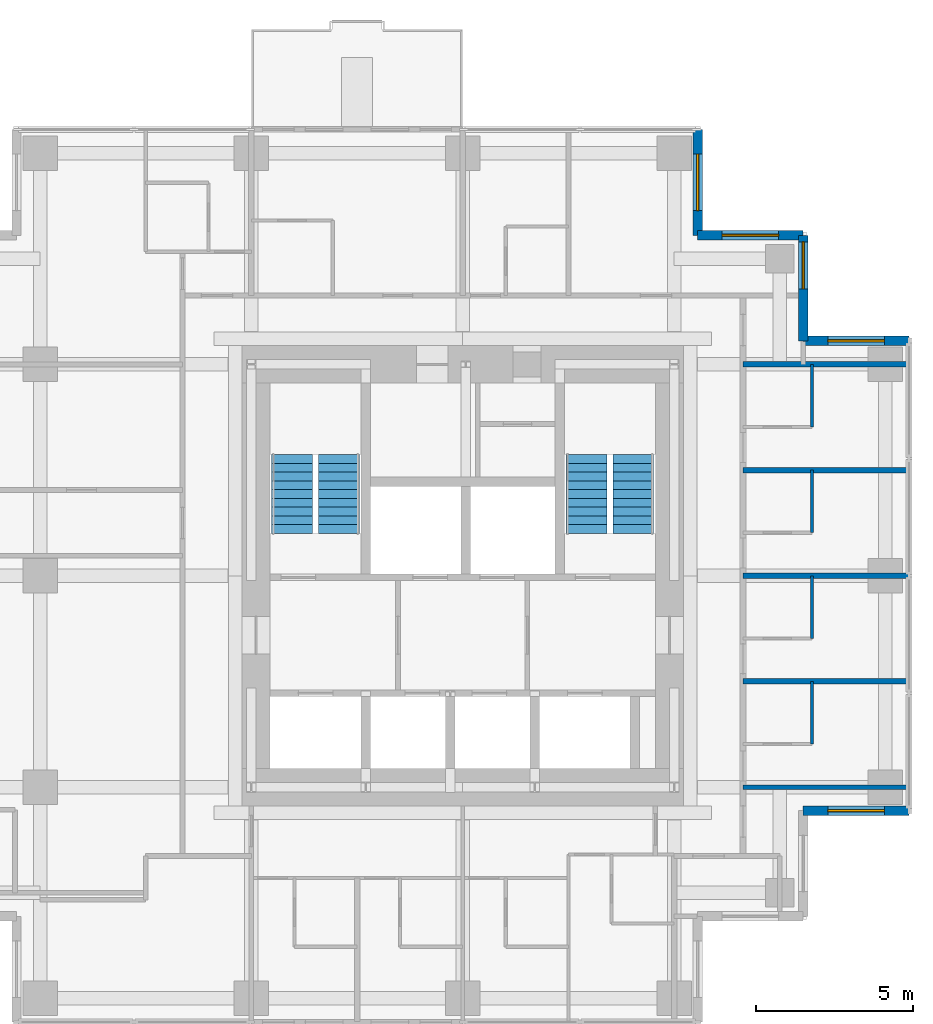
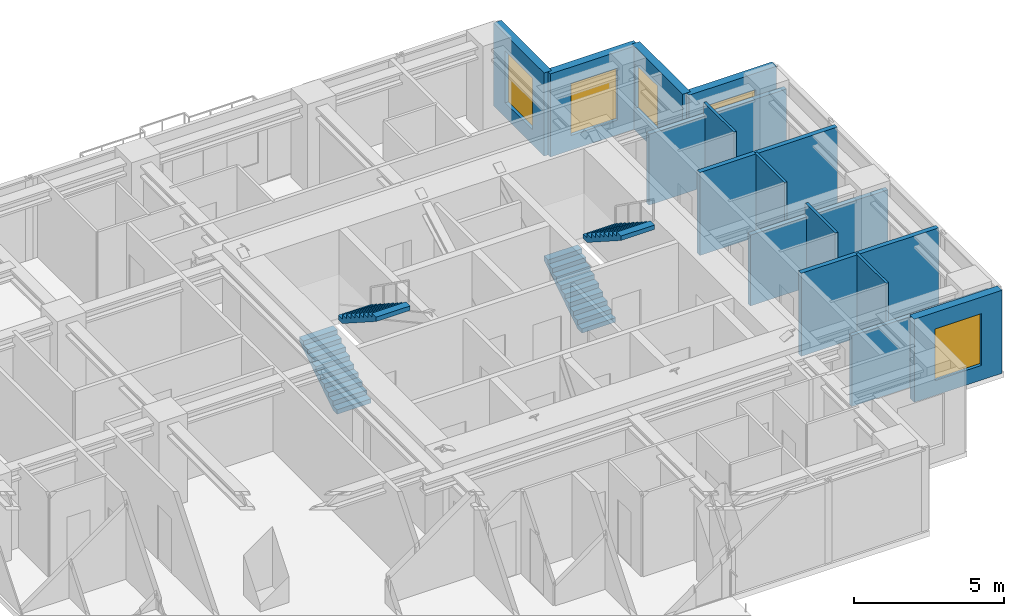
# One storey, part 7 of 8: 14 walls, 5 windows, 4 stair flights, 5 openings, 2 elements without a shape of their own.
"""IFC4 building model written with IfcOpenShell, lengths in metres."""

from ifc_helpers import new_model, si_unit, direction, frame, frame_2d, origin, place, context, subcontext, project, spatial, polyline, rectangle, outline, extrude, material, layer, layer_set, type_object, element, fill, aggregate, save


model = new_model("IFC4")

# Units and contexts
model_context = context("Model", 3, precision=1e-05, world=origin(), true_north=direction((0.0, 1.0)))
body_context = subcontext(model_context, "Body", "Model", "MODEL_VIEW")
ifc_project = project(units=[si_unit("LENGTHUNIT", "METRE"), si_unit("AREAUNIT", "SQUARE_METRE"), si_unit("VOLUMEUNIT", "CUBIC_METRE"), si_unit("PLANEANGLEUNIT", "RADIAN"), si_unit("MASSUNIT", "GRAM", prefix="KILO")], contexts=[model_context])

# Site, building, storey
site_placement = place(None, origin())
site = spatial("IfcSite", under=ifc_project, at=site_placement, CompositionType="ELEMENT")
building_placement = place(site_placement, origin())
building = spatial("IfcBuilding", under=site, at=building_placement, Name="Nyansa Garden Tower", CompositionType="ELEMENT")
storey_placement = place(building_placement, frame((0.0, 0.0, 225.89990234375)))
storey = spatial("IfcBuildingStorey", under=building, at=storey_placement, Name="L61", CompositionType="ELEMENT", Elevation=225.89990234375)

# Walls
ifc_material_1 = material(Name="Dense blockwork, plastered both sides, 55 dB", Category="masonry")
ifc_layer_1 = layer(ifc_material_1, 0.175048828125)
ifc_layer_set_1 = layer_set([ifc_layer_1], Name="Acoustic party wall PW175")
wall_type_1 = type_object("IfcWallType", Name="Acoustic party wall PW175", PredefinedType="PARTITIONING", material=ifc_layer_set_1)
wall_1_placement = place(storey_placement, frame((29.199951171875, 16.875, 0.0), z_axis=(0.0, 0.0, 1.0), x_axis=(1.0, 0.0, 0.0)))
element("IfcWall", 1, at=wall_1_placement, inside=storey, type_object=wall_type_1, Name="Party wall", PredefinedType="PARTITIONING", context=body_context, shape_type="SweptSolid", body=[
    extrude(rectangle(XDim=5.283935546875, YDim=0.175048828125, at=frame_2d((2.64208984375, 0.0))), origin(), (0.0, 0.0, 1.0), 3.375),
])
wall_2_placement = place(storey_placement, frame((29.199951171875, 20.25, 0.0), z_axis=(0.0, 0.0, 1.0), x_axis=(1.0, 0.0, 0.0)))
element("IfcWall", 2, at=wall_2_placement, inside=storey, type_object=wall_type_1, Name="Party wall", PredefinedType="PARTITIONING", context=body_context, shape_type="SweptSolid", body=[
    extrude(rectangle(XDim=5.283935546875, YDim=0.175048828125, at=frame_2d((2.64208984375, 0.0))), origin(), (0.0, 0.0, 1.0), 2.877197265625),
])
wall_3_placement = place(storey_placement, frame((29.199951171875, 23.625, 0.0), z_axis=(0.0, 0.0, 1.0), x_axis=(1.0, 0.0, 0.0)))
element("IfcWall", 3, at=wall_3_placement, inside=storey, type_object=wall_type_1, Name="Party wall", PredefinedType="PARTITIONING", context=body_context, shape_type="SweptSolid", body=[
    extrude(rectangle(XDim=5.283935546875, YDim=0.175048828125, at=frame_2d((2.64208984375, 0.0))), origin(), (0.0, 0.0, 1.0), 3.375),
])
wall_4_placement = place(storey_placement, frame((29.199951171875, 27.0, 0.0), z_axis=(0.0, 0.0, 1.0), x_axis=(1.0, 0.0, 0.0)))
element("IfcWall", 4, at=wall_4_placement, inside=storey, type_object=wall_type_1, Name="Party wall", PredefinedType="PARTITIONING", context=body_context, shape_type="SweptSolid", body=[
    extrude(rectangle(XDim=5.283935546875, YDim=0.175048828125, at=frame_2d((2.64208984375, 0.0))), origin(), (0.0, 0.0, 1.0), 2.877197265625),
])
ifc_material_2 = material(Name="Blockwork, plastered both sides", Category="masonry")
ifc_layer_2 = layer(ifc_material_2, 0.14990234375)
ifc_layer_set_2 = layer_set([ifc_layer_2], Name="Partition PW150")
wall_type_2 = type_object("IfcWallType", Name="Partition PW150", PredefinedType="PARTITIONING", material=ifc_layer_set_2)
wall_5_placement = place(storey_placement, frame((29.199951171875, 13.5, 0.0), z_axis=(0.0, 0.0, 1.0), x_axis=(1.0, 0.0, 0.0)))
element("IfcWall", 5, at=wall_5_placement, inside=storey, type_object=wall_type_2, Name="Partition", PredefinedType="PARTITIONING", context=body_context, shape_type="SweptSolid", body=[
    extrude(rectangle(XDim=5.283935546875, YDim=0.14990234375, at=frame_2d((2.64208984375, 0.0))), origin(), (0.0, 0.0, 1.0), 2.877197265625),
])

# Wall, opening, window
ifc_material_3 = material(Name="Turquoise glazed tile on concrete blockwork", Category="masonry")
ifc_layer_3 = layer(ifc_material_3, 0.300048828125)
ifc_layer_set_3 = layer_set([ifc_layer_3], Name="Tiled corner wall TW300")
wall_type_3 = type_object("IfcWallType", Name="Tiled corner wall TW300", PredefinedType="SOLIDWALL", material=ifc_layer_set_3)
wall_6_placement = place(storey_placement, frame((34.5, 27.75, 0.0), z_axis=(0.0, 0.0, 1.0), x_axis=(-1.0, 0.0, 0.0)))
wall_6 = element("IfcWall", 6, at=wall_6_placement, inside=storey, type_object=wall_type_3, Name="Tiled corner wall L61", PredefinedType="SOLIDWALL", context=body_context, shape_type="SweptSolid", body=[
    extrude(rectangle(XDim=3.375, YDim=0.300048828125, at=frame_2d((1.6875, 0.0))), origin(), (0.0, 0.0, 1.0), 3.375),
])
opening_1_placement = place(wall_6_placement, frame((0.78759765625, 0.0, 0.60009765625)))
opening_1 = element("IfcOpeningElement", 7, at=opening_1_placement, cuts=wall_6, Name="Opening W2", PredefinedType="OPENING", context=body_context, shape_type="SweptSolid", body=[
    extrude(rectangle(XDim=1.800048828125, YDim=2.10009765625, at=frame_2d((0.89990234375, 1.050048828125))), frame((0.0, 0.159912109375, 0.0), z_axis=(0.0, -1.0, 0.0), x_axis=(1.0, 0.0, 0.0)), (0.0, 0.0, 1.0), 0.320068359375),
])
ifc_material_4 = material(Name="Black aluminium frame, dark tinted double glazing", Category="aluminium")
window_type_1 = type_object("IfcWindowType", Name="Window W2 1800x2100", PartitioningType="SINGLE_PANEL", PredefinedType="WINDOW", material=ifc_material_4)
window_1_placement = place(opening_1_placement, origin())
window_1 = element("IfcWindow", 8, at=window_1_placement, inside=storey, type_object=window_type_1, Name="Corner window L61", OverallHeight=2.10009765625, OverallWidth=1.800048828125, PartitioningType="SINGLE_PANEL", PredefinedType="WINDOW", context=body_context, shape_type="SweptSolid", body=[
    extrude(rectangle(XDim=1.800048828125, YDim=2.10009765625, at=frame_2d((0.89990234375, 1.050048828125))), frame((0.0, 0.030029296875, 0.0), z_axis=(0.0, -1.0, 0.0), x_axis=(1.0, 0.0, 0.0)), (0.0, 0.0, 1.0), 0.06005859375),
])
fill(opening_1, window_1)

wall_7_placement = place(storey_placement, frame((31.125, 27.75, 0.0), z_axis=(0.0, 0.0, 1.0), x_axis=(0.0, 1.0, 0.0)))
wall_7 = element("IfcWall", 9, at=wall_7_placement, inside=storey, type_object=wall_type_3, Name="Tiled corner wall L61", PredefinedType="SOLIDWALL", context=body_context, shape_type="SweptSolid", body=[
    extrude(rectangle(XDim=3.375, YDim=0.300048828125, at=frame_2d((1.6875, 0.0))), origin(), (0.0, 0.0, 1.0), 3.375),
])
opening_2_placement = place(wall_7_placement, frame((1.66259765625, 0.0, 0.89990234375)))
opening_2 = element("IfcOpeningElement", 10, at=opening_2_placement, cuts=wall_7, Name="Opening W1", PredefinedType="OPENING", context=body_context, shape_type="SweptSolid", body=[
    extrude(rectangle(XDim=1.5, YDim=1.800048828125, at=frame_2d((0.75, 0.89990234375))), frame((0.0, 0.159912109375, 0.0), z_axis=(0.0, -1.0, 0.0), x_axis=(1.0, 0.0, 0.0)), (0.0, 0.0, 1.0), 0.320068359375),
])
ifc_material_5 = material(Name="Black aluminium frame, dark tinted double glazing", Category="aluminium")
window_type_2 = type_object("IfcWindowType", Name="Window W1 1500x1800", PartitioningType="SINGLE_PANEL", PredefinedType="WINDOW", material=ifc_material_5)
window_2_placement = place(opening_2_placement, origin())
window_2 = element("IfcWindow", 11, at=window_2_placement, inside=storey, type_object=window_type_2, Name="Corner window L61", OverallHeight=1.800048828125, OverallWidth=1.5, PartitioningType="SINGLE_PANEL", PredefinedType="WINDOW", context=body_context, shape_type="SweptSolid", body=[
    extrude(rectangle(XDim=1.5, YDim=1.800048828125, at=frame_2d((0.75, 0.89990234375))), frame((0.0, 0.030029296875, 0.0), z_axis=(0.0, -1.0, 0.0), x_axis=(1.0, 0.0, 0.0)), (0.0, 0.0, 1.0), 0.06005859375),
])
fill(opening_2, window_2)

wall_8_placement = place(storey_placement, frame((31.125, 31.125, 0.0), z_axis=(0.0, 0.0, 1.0), x_axis=(-1.0, 0.0, 0.0)))
wall_8 = element("IfcWall", 12, at=wall_8_placement, inside=storey, type_object=wall_type_3, Name="Tiled corner wall L61", PredefinedType="SOLIDWALL", context=body_context, shape_type="SweptSolid", body=[
    extrude(rectangle(XDim=3.375, YDim=0.300048828125, at=frame_2d((1.6875, 0.0))), origin(), (0.0, 0.0, 1.0), 3.375),
])
opening_3_placement = place(wall_8_placement, frame((0.78759765625, 0.0, 0.60009765625)))
opening_3 = element("IfcOpeningElement", 13, at=opening_3_placement, cuts=wall_8, Name="Opening W2", PredefinedType="OPENING", context=body_context, shape_type="SweptSolid", body=[
    extrude(rectangle(XDim=1.800048828125, YDim=2.10009765625, at=frame_2d((0.89990234375, 1.050048828125))), frame((0.0, 0.159912109375, 0.0), z_axis=(0.0, -1.0, 0.0), x_axis=(1.0, 0.0, 0.0)), (0.0, 0.0, 1.0), 0.320068359375),
])
window_3_placement = place(opening_3_placement, origin())
window_3 = element("IfcWindow", 14, at=window_3_placement, inside=storey, type_object=window_type_1, Name="Corner window L61", OverallHeight=2.10009765625, OverallWidth=1.800048828125, PartitioningType="SINGLE_PANEL", PredefinedType="WINDOW", context=body_context, shape_type="SweptSolid", body=[
    extrude(rectangle(XDim=1.800048828125, YDim=2.10009765625, at=frame_2d((0.89990234375, 1.050048828125))), frame((0.0, 0.030029296875, 0.0), z_axis=(0.0, -1.0, 0.0), x_axis=(1.0, 0.0, 0.0)), (0.0, 0.0, 1.0), 0.06005859375),
])
fill(opening_3, window_3)

wall_9_placement = place(storey_placement, frame((27.75, 31.125, 0.0), z_axis=(0.0, 0.0, 1.0), x_axis=(0.0, 1.0, 0.0)))
wall_9 = element("IfcWall", 15, at=wall_9_placement, inside=storey, type_object=wall_type_3, Name="Tiled corner wall L61", PredefinedType="SOLIDWALL", context=body_context, shape_type="SweptSolid", body=[
    extrude(rectangle(XDim=3.375, YDim=0.300048828125, at=frame_2d((1.6875, 0.0))), origin(), (0.0, 0.0, 1.0), 3.375),
])
opening_4_placement = place(wall_9_placement, frame((0.78759765625, 0.0, 0.60009765625)))
opening_4 = element("IfcOpeningElement", 16, at=opening_4_placement, cuts=wall_9, Name="Opening W2", PredefinedType="OPENING", context=body_context, shape_type="SweptSolid", body=[
    extrude(rectangle(XDim=1.800048828125, YDim=2.10009765625, at=frame_2d((0.89990234375, 1.050048828125))), frame((0.0, 0.159912109375, 0.0), z_axis=(0.0, -1.0, 0.0), x_axis=(1.0, 0.0, 0.0)), (0.0, 0.0, 1.0), 0.320068359375),
])
window_4_placement = place(opening_4_placement, origin())
window_4 = element("IfcWindow", 17, at=window_4_placement, inside=storey, type_object=window_type_1, Name="Corner window L61", OverallHeight=2.10009765625, OverallWidth=1.800048828125, PartitioningType="SINGLE_PANEL", PredefinedType="WINDOW", context=body_context, shape_type="SweptSolid", body=[
    extrude(rectangle(XDim=1.800048828125, YDim=2.10009765625, at=frame_2d((0.89990234375, 1.050048828125))), frame((0.0, 0.030029296875, 0.0), z_axis=(0.0, -1.0, 0.0), x_axis=(1.0, 0.0, 0.0)), (0.0, 0.0, 1.0), 0.06005859375),
])
fill(opening_4, window_4)

wall_10_placement = place(storey_placement, frame((31.125, 12.75, 0.0), z_axis=(0.0, 0.0, 1.0), x_axis=(1.0, 0.0, 0.0)))
wall_10 = element("IfcWall", 18, at=wall_10_placement, inside=storey, type_object=wall_type_3, Name="Tiled corner wall L61", PredefinedType="SOLIDWALL", context=body_context, shape_type="SweptSolid", body=[
    extrude(rectangle(XDim=3.375, YDim=0.300048828125, at=frame_2d((1.6875, 0.0))), origin(), (0.0, 0.0, 1.0), 3.375),
])
opening_5_placement = place(wall_10_placement, frame((0.78759765625, 0.0, 0.60009765625)))
opening_5 = element("IfcOpeningElement", 19, at=opening_5_placement, cuts=wall_10, Name="Opening W2", PredefinedType="OPENING", context=body_context, shape_type="SweptSolid", body=[
    extrude(rectangle(XDim=1.800048828125, YDim=2.10009765625, at=frame_2d((0.89990234375, 1.050048828125))), frame((0.0, 0.159912109375, 0.0), z_axis=(0.0, -1.0, 0.0), x_axis=(1.0, 0.0, 0.0)), (0.0, 0.0, 1.0), 0.320068359375),
])
window_5_placement = place(opening_5_placement, origin())
window_5 = element("IfcWindow", 20, at=window_5_placement, inside=storey, type_object=window_type_1, Name="Corner window L61", OverallHeight=2.10009765625, OverallWidth=1.800048828125, PartitioningType="SINGLE_PANEL", PredefinedType="WINDOW", context=body_context, shape_type="SweptSolid", body=[
    extrude(rectangle(XDim=1.800048828125, YDim=2.10009765625, at=frame_2d((0.89990234375, 1.050048828125))), frame((0.0, 0.030029296875, 0.0), z_axis=(0.0, -1.0, 0.0), x_axis=(1.0, 0.0, 0.0)), (0.0, 0.0, 1.0), 0.06005859375),
])
fill(opening_5, window_5)

# Walls
ifc_material_6 = material(Name="Moisture resistant board on steel studs, tiled", Category="steel")
ifc_layer_4 = layer(ifc_material_6, 0.10009765625)
ifc_layer_set_4 = layer_set([ifc_layer_4], Name="Wet wall PW100")
wall_type_4 = type_object("IfcWallType", Name="Wet wall PW100", PredefinedType="PARTITIONING", material=ifc_layer_set_4)
for number, where, z_axis, x_axis, name in (
    (21, (31.39990234375, 14.875, 0.0), (0.0, 0.0, 1.0), (0.0, 1.0, 0.0), "Wet wall"),
    (22, (31.39990234375, 18.25, 0.0), (0.0, 0.0, 1.0), (0.0, 1.0, 0.0), "Wet wall"),
    (23, (31.39990234375, 21.625, 0.0), (0.0, 0.0, 1.0), (0.0, 1.0, 0.0), "Wet wall"),
    (24, (31.39990234375, 25.0, 0.0), (0.0, 0.0, 1.0), (0.0, 1.0, 0.0), "Wet wall"),
):
    element("IfcWall", number, at=place(storey_placement, frame(where, z_axis=z_axis, x_axis=x_axis)), inside=storey, type_object=wall_type_4, Name=name, PredefinedType="PARTITIONING", context=body_context, shape_type="SweptSolid", body=[
        extrude(rectangle(XDim=2.0, YDim=0.10009765625, at=frame_2d((1.0, 0.0))), origin(), (0.0, 0.0, 1.0), 3.375),
    ])

# Stair, stair flights
ifc_material_7 = material(Name="Precast concrete C40/50", Category="concrete")
stair_type_1 = type_object("IfcStairType", Name="Stair S1 180x280", PredefinedType="HALF_TURN_STAIR", material=ifc_material_7)
stair_1_placement = place(storey_placement, origin())
stair_1 = element("IfcStair", 25, at=stair_1_placement, inside=storey, type_object=stair_type_1, Name="Stair S1 L61", PredefinedType="HALF_TURN_STAIR")
ifc_material_8 = material(Name="Precast concrete C40/50", Category="concrete")
stair_flight_type_1 = type_object("IfcStairFlightType", Name="Stair flight S1 180x280x10", PredefinedType="STRAIGHT", material=ifc_material_8)
stair_flight_1_placement = place(storey_placement, frame((14.800048828125, 21.60009765625, 0.0), z_axis=(0.0, 0.0, 1.0), x_axis=(0.0, 1.0, 0.0)))
stair_flight_1 = element("IfcStairFlight", 26, at=stair_flight_1_placement, type_object=stair_flight_type_1, Name="S1 flight 1", NumberOfRisers=10, NumberOfTreads=9, PredefinedType="STRAIGHT", RiserHeight=0.18, TreadLength=0.28, context=body_context, shape_type="SweptSolid", body=[
    extrude(outline(polyline([(0.0, 0.0), (0.0, 0.179931640625), (0.280029296875, 0.179931640625), (0.280029296875, 0.360107421875), (0.56005859375, 0.360107421875), (0.56005859375, 0.5400390625), (0.840087890625, 0.5400390625), (0.840087890625, 0.719970703125), (1.1201171875, 0.719970703125), (1.1201171875, 0.89990234375), (1.39990234375, 0.89990234375), (1.39990234375, 1.080078125), (1.679931640625, 1.080078125), (1.679931640625, 1.260009765625), (1.9599609375, 1.260009765625), (1.9599609375, 1.43994140625), (2.239990234375, 1.43994140625), (2.239990234375, 1.6201171875), (2.52001953125, 1.6201171875), (2.52001953125, 1.800048828125), (2.52001953125, 1.44189453125), (0.277099609375, 0.0), (0.0, 0.0)])), frame((0.0, 0.64990234375, 0.0), z_axis=(0.0, -1.0, 0.0), x_axis=(1.0, 0.0, 0.0)), (0.0, 0.0, 1.0), 1.300048828125),
])
stair_flight_2_placement = place(storey_placement, frame((16.300048828125, 24.1201171875, 1.800048828125), z_axis=(0.0, 0.0, 1.0), x_axis=(0.0, -1.0, 0.0)))
stair_flight_2 = element("IfcStairFlight", 27, at=stair_flight_2_placement, type_object=stair_flight_type_1, Name="S1 flight 2", NumberOfRisers=10, NumberOfTreads=9, PredefinedType="STRAIGHT", RiserHeight=0.18, TreadLength=0.28, context=body_context, shape_type="SweptSolid", body=[
    extrude(outline(polyline([(0.0, 0.0), (0.0, 0.179931640625), (0.280029296875, 0.179931640625), (0.280029296875, 0.360107421875), (0.56005859375, 0.360107421875), (0.56005859375, 0.5400390625), (0.840087890625, 0.5400390625), (0.840087890625, 0.719970703125), (1.1201171875, 0.719970703125), (1.1201171875, 0.89990234375), (1.39990234375, 0.89990234375), (1.39990234375, 1.080078125), (1.679931640625, 1.080078125), (1.679931640625, 1.260009765625), (1.9599609375, 1.260009765625), (1.9599609375, 1.43994140625), (2.239990234375, 1.43994140625), (2.239990234375, 1.6201171875), (2.52001953125, 1.6201171875), (2.52001953125, 1.800048828125), (2.52001953125, 1.44189453125), (0.277099609375, 0.0), (0.0, 0.0)])), frame((0.0, 0.64990234375, 0.0), z_axis=(0.0, -1.0, 0.0), x_axis=(1.0, 0.0, 0.0)), (0.0, 0.0, 1.0), 1.300048828125),
])
aggregate(stair_1, [stair_flight_1, stair_flight_2])

ifc_material_9 = material(Name="Precast concrete C40/50", Category="concrete")
stair_type_2 = type_object("IfcStairType", Name="Stair S2 180x280", PredefinedType="HALF_TURN_STAIR", material=ifc_material_9)
stair_2_placement = place(storey_placement, origin())
stair_2 = element("IfcStair", 28, at=stair_2_placement, inside=storey, type_object=stair_type_2, Name="Stair S2 L61", PredefinedType="HALF_TURN_STAIR")
ifc_material_10 = material(Name="Precast concrete C40/50", Category="concrete")
stair_flight_type_2 = type_object("IfcStairFlightType", Name="Stair flight S2 180x280x10", PredefinedType="STRAIGHT", material=ifc_material_10)
stair_flight_3_placement = place(storey_placement, frame((24.199951171875, 21.60009765625, 0.0), z_axis=(0.0, 0.0, 1.0), x_axis=(0.0, 1.0, 0.0)))
stair_flight_3 = element("IfcStairFlight", 29, at=stair_flight_3_placement, type_object=stair_flight_type_2, Name="S2 flight 1", NumberOfRisers=10, NumberOfTreads=9, PredefinedType="STRAIGHT", RiserHeight=0.18, TreadLength=0.28, context=body_context, shape_type="SweptSolid", body=[
    extrude(outline(polyline([(0.0, 0.0), (0.0, 0.179931640625), (0.280029296875, 0.179931640625), (0.280029296875, 0.360107421875), (0.56005859375, 0.360107421875), (0.56005859375, 0.5400390625), (0.840087890625, 0.5400390625), (0.840087890625, 0.719970703125), (1.1201171875, 0.719970703125), (1.1201171875, 0.89990234375), (1.39990234375, 0.89990234375), (1.39990234375, 1.080078125), (1.679931640625, 1.080078125), (1.679931640625, 1.260009765625), (1.9599609375, 1.260009765625), (1.9599609375, 1.43994140625), (2.239990234375, 1.43994140625), (2.239990234375, 1.6201171875), (2.52001953125, 1.6201171875), (2.52001953125, 1.800048828125), (2.52001953125, 1.44189453125), (0.277099609375, 0.0), (0.0, 0.0)])), frame((0.0, 0.64990234375, 0.0), z_axis=(0.0, -1.0, 0.0), x_axis=(1.0, 0.0, 0.0)), (0.0, 0.0, 1.0), 1.300048828125),
])
stair_flight_4_placement = place(storey_placement, frame((25.699951171875, 24.1201171875, 1.800048828125), z_axis=(0.0, 0.0, 1.0), x_axis=(0.0, -1.0, 0.0)))
stair_flight_4 = element("IfcStairFlight", 30, at=stair_flight_4_placement, type_object=stair_flight_type_2, Name="S2 flight 2", NumberOfRisers=10, NumberOfTreads=9, PredefinedType="STRAIGHT", RiserHeight=0.18, TreadLength=0.28, context=body_context, shape_type="SweptSolid", body=[
    extrude(outline(polyline([(0.0, 0.0), (0.0, 0.179931640625), (0.280029296875, 0.179931640625), (0.280029296875, 0.360107421875), (0.56005859375, 0.360107421875), (0.56005859375, 0.5400390625), (0.840087890625, 0.5400390625), (0.840087890625, 0.719970703125), (1.1201171875, 0.719970703125), (1.1201171875, 0.89990234375), (1.39990234375, 0.89990234375), (1.39990234375, 1.080078125), (1.679931640625, 1.080078125), (1.679931640625, 1.260009765625), (1.9599609375, 1.260009765625), (1.9599609375, 1.43994140625), (2.239990234375, 1.43994140625), (2.239990234375, 1.6201171875), (2.52001953125, 1.6201171875), (2.52001953125, 1.800048828125), (2.52001953125, 1.44189453125), (0.277099609375, 0.0), (0.0, 0.0)])), frame((0.0, 0.64990234375, 0.0), z_axis=(0.0, -1.0, 0.0), x_axis=(1.0, 0.0, 0.0)), (0.0, 0.0, 1.0), 1.300048828125),
])
aggregate(stair_2, [stair_flight_3, stair_flight_4])

save(model, "model.ifc")
